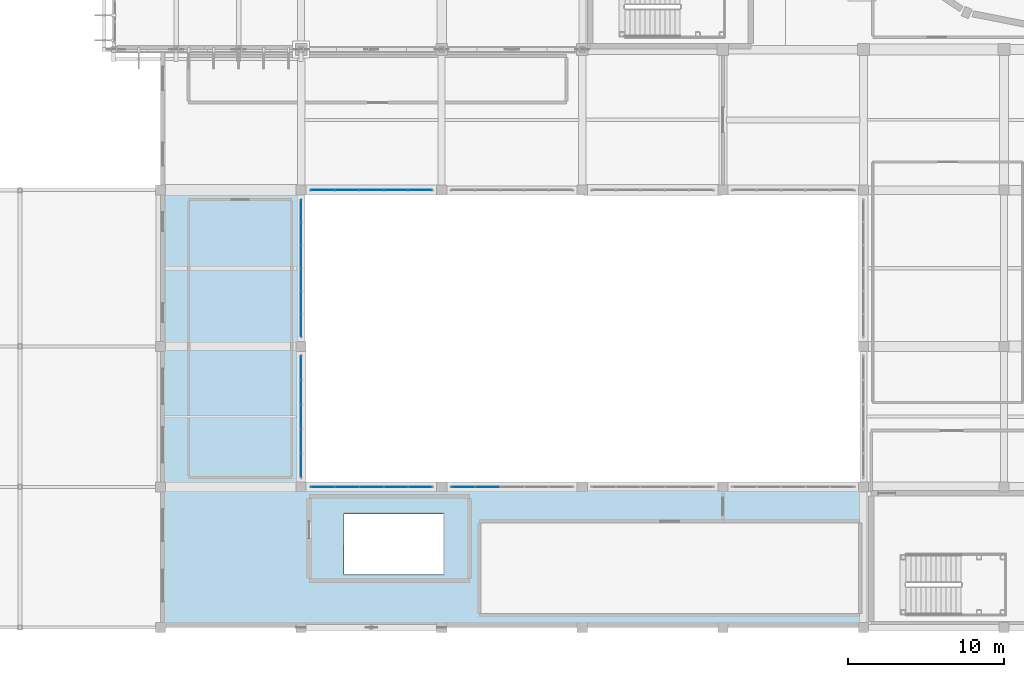
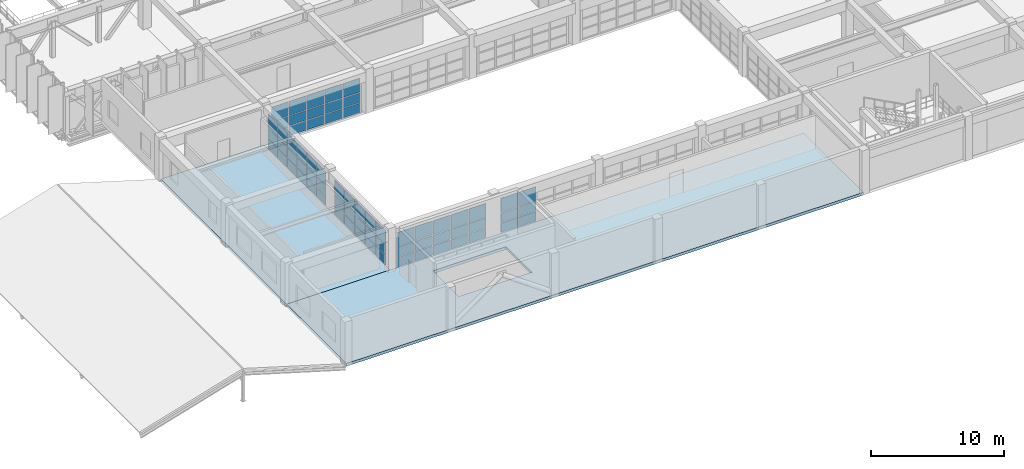
# One storey, part 89 of 130: 69 plates, 2 slabs, 5 elements without a shape of their own.
"""IFC4 building model written with IfcOpenShell, lengths in metres."""

from ifc_helpers import new_model, si_unit, direction, frame, origin, origin_2d, place, context, subcontext, project, spatial, polyline, rectangle, outline, extrude, material, layer, layer_set, type_object, element, aggregate, save


model = new_model("IFC4")

# Units and contexts
model_context = context("Model", 3, precision=1e-05, world=origin(), true_north=direction((0.0, 1.0)))
body_context = subcontext(model_context, "Body", "Model", "MODEL_VIEW")
ifc_project = project(units=[si_unit("LENGTHUNIT", "METRE"), si_unit("AREAUNIT", "SQUARE_METRE"), si_unit("VOLUMEUNIT", "CUBIC_METRE"), si_unit("PLANEANGLEUNIT", "RADIAN"), si_unit("MASSUNIT", "GRAM", prefix="KILO")], contexts=[model_context])

# Site, building, storey
site_placement = place(None, origin())
site = spatial("IfcSite", under=ifc_project, at=site_placement, CompositionType="ELEMENT")
building_placement = place(site_placement, origin())
building = spatial("IfcBuilding", under=site, at=building_placement, Name="Miravela Opera House", CompositionType="ELEMENT")
storey_placement = place(building_placement, frame((0.0, 0.0, 9.52001953125)))
storey = spatial("IfcBuildingStorey", under=building, at=storey_placement, Name="L02", CompositionType="ELEMENT", Elevation=9.52001953125)

# Curtain wall, plates
ifc_material_1 = material(Name="Anodised architectural bronze aluminium 6063-T6", Category="aluminium")
curtain_wall_type = type_object("IfcCurtainWallType", Name="ARC-CW-06", PredefinedType="NOTDEFINED", material=ifc_material_1)
curtain_wall_1_placement = place(storey_placement, origin())
curtain_wall_1 = element("IfcCurtainWall", 1, at=curtain_wall_1_placement, inside=storey, type_object=curtain_wall_type, Name="Courtyard Arcade Curtain Wall CW-L02-136", PredefinedType="NOTDEFINED")
ifc_material_2 = material(Name="Acoustic laminated low-E insulating glass", Category="glass")
ifc_layer_1 = layer(ifc_material_2, 0.028076171875)
ifc_layer_set_1 = layer_set([ifc_layer_1])
plate_type = type_object("IfcPlateType", Name="ARC-CWP-28", PredefinedType="CURTAIN_PANEL", material=ifc_layer_set_1)
plate_1_placement = place(storey_placement, frame((28.37890625, 28.0, 0.06005859375), z_axis=(0.0, 0.0, 1.0), x_axis=(1.0, 0.0, 0.0)))
plate_1 = element("IfcPlate", 2, at=plate_1_placement, type_object=plate_type, Name="CW-06 panel 1.1", PredefinedType="CURTAIN_PANEL", context=body_context, shape_type="SweptSolid", body=[
    extrude(rectangle(XDim=1.47802734375, YDim=0.028076171875, at=origin_2d()), origin(), (0.0, 0.0, 1.0), 0.860107421875),
])
plate_2_placement = place(storey_placement, frame((28.37890625, 28.0, 0.97998046875), z_axis=(0.0, 0.0, 1.0), x_axis=(1.0, 0.0, 0.0)))
plate_2 = element("IfcPlate", 3, at=plate_2_placement, type_object=plate_type, Name="CW-06 panel 1.2", PredefinedType="CURTAIN_PANEL", context=body_context, shape_type="SweptSolid", body=[
    extrude(rectangle(XDim=1.47802734375, YDim=0.028076171875, at=origin_2d()), origin(), (0.0, 0.0, 1.0), 0.898193359375),
])
plate_3_placement = place(storey_placement, frame((28.37890625, 28.0, 1.93798828125), z_axis=(0.0, 0.0, 1.0), x_axis=(1.0, 0.0, 0.0)))
plate_3 = element("IfcPlate", 4, at=plate_3_placement, type_object=plate_type, Name="CW-06 panel 1.3", PredefinedType="CURTAIN_PANEL", context=body_context, shape_type="SweptSolid", body=[
    extrude(rectangle(XDim=1.47802734375, YDim=0.028076171875, at=origin_2d()), origin(), (0.0, 0.0, 1.0), 1.291748046875),
])
plate_4_placement = place(storey_placement, frame((29.931884765625, 28.0, 0.06005859375), z_axis=(0.0, 0.0, 1.0), x_axis=(1.0, 0.0, 0.0)))
plate_4 = element("IfcPlate", 5, at=plate_4_placement, type_object=plate_type, Name="CW-06 panel 2.1", PredefinedType="CURTAIN_PANEL", context=body_context, shape_type="SweptSolid", body=[
    extrude(rectangle(XDim=1.508056640625, YDim=0.028076171875, at=origin_2d()), origin(), (0.0, 0.0, 1.0), 0.860107421875),
])
plate_5_placement = place(storey_placement, frame((29.931884765625, 28.0, 0.97998046875), z_axis=(0.0, 0.0, 1.0), x_axis=(1.0, 0.0, 0.0)))
plate_5 = element("IfcPlate", 6, at=plate_5_placement, type_object=plate_type, Name="CW-06 panel 2.2", PredefinedType="CURTAIN_PANEL", context=body_context, shape_type="SweptSolid", body=[
    extrude(rectangle(XDim=1.508056640625, YDim=0.028076171875, at=origin_2d()), origin(), (0.0, 0.0, 1.0), 0.898193359375),
])
plate_6_placement = place(storey_placement, frame((29.931884765625, 28.0, 1.93798828125), z_axis=(0.0, 0.0, 1.0), x_axis=(1.0, 0.0, 0.0)))
plate_6 = element("IfcPlate", 7, at=plate_6_placement, type_object=plate_type, Name="CW-06 panel 2.3", PredefinedType="CURTAIN_PANEL", context=body_context, shape_type="SweptSolid", body=[
    extrude(rectangle(XDim=1.508056640625, YDim=0.028076171875, at=origin_2d()), origin(), (0.0, 0.0, 1.0), 1.291748046875),
])
plate_7_placement = place(storey_placement, frame((31.5, 28.0, 0.06005859375), z_axis=(0.0, 0.0, 1.0), x_axis=(1.0, 0.0, 0.0)))
plate_7 = element("IfcPlate", 8, at=plate_7_placement, type_object=plate_type, Name="CW-06 panel 3.1", PredefinedType="CURTAIN_PANEL", context=body_context, shape_type="SweptSolid", body=[
    extrude(rectangle(XDim=1.508056640625, YDim=0.028076171875, at=origin_2d()), origin(), (0.0, 0.0, 1.0), 0.860107421875),
])
plate_8_placement = place(storey_placement, frame((31.5, 28.0, 0.97998046875), z_axis=(0.0, 0.0, 1.0), x_axis=(1.0, 0.0, 0.0)))
plate_8 = element("IfcPlate", 9, at=plate_8_placement, type_object=plate_type, Name="CW-06 panel 3.2", PredefinedType="CURTAIN_PANEL", context=body_context, shape_type="SweptSolid", body=[
    extrude(rectangle(XDim=1.508056640625, YDim=0.028076171875, at=origin_2d()), origin(), (0.0, 0.0, 1.0), 0.898193359375),
])
plate_9_placement = place(storey_placement, frame((31.5, 28.0, 1.93798828125), z_axis=(0.0, 0.0, 1.0), x_axis=(1.0, 0.0, 0.0)))
plate_9 = element("IfcPlate", 10, at=plate_9_placement, type_object=plate_type, Name="CW-06 panel 3.3", PredefinedType="CURTAIN_PANEL", context=body_context, shape_type="SweptSolid", body=[
    extrude(rectangle(XDim=1.508056640625, YDim=0.028076171875, at=origin_2d()), origin(), (0.0, 0.0, 1.0), 1.291748046875),
])
plate_10_placement = place(storey_placement, frame((33.068115234375, 28.0, 0.06005859375), z_axis=(0.0, 0.0, 1.0), x_axis=(1.0, 0.0, 0.0)))
plate_10 = element("IfcPlate", 11, at=plate_10_placement, type_object=plate_type, Name="CW-06 panel 4.1", PredefinedType="CURTAIN_PANEL", context=body_context, shape_type="SweptSolid", body=[
    extrude(rectangle(XDim=1.508056640625, YDim=0.028076171875, at=origin_2d()), origin(), (0.0, 0.0, 1.0), 0.860107421875),
])
plate_11_placement = place(storey_placement, frame((33.068115234375, 28.0, 0.97998046875), z_axis=(0.0, 0.0, 1.0), x_axis=(1.0, 0.0, 0.0)))
plate_11 = element("IfcPlate", 12, at=plate_11_placement, type_object=plate_type, Name="CW-06 panel 4.2", PredefinedType="CURTAIN_PANEL", context=body_context, shape_type="SweptSolid", body=[
    extrude(rectangle(XDim=1.508056640625, YDim=0.028076171875, at=origin_2d()), origin(), (0.0, 0.0, 1.0), 0.898193359375),
])
plate_12_placement = place(storey_placement, frame((33.068115234375, 28.0, 1.93798828125), z_axis=(0.0, 0.0, 1.0), x_axis=(1.0, 0.0, 0.0)))
plate_12 = element("IfcPlate", 13, at=plate_12_placement, type_object=plate_type, Name="CW-06 panel 4.3", PredefinedType="CURTAIN_PANEL", context=body_context, shape_type="SweptSolid", body=[
    extrude(rectangle(XDim=1.508056640625, YDim=0.028076171875, at=origin_2d()), origin(), (0.0, 0.0, 1.0), 1.291748046875),
])
plate_13_placement = place(storey_placement, frame((34.62109375, 28.0, 0.06005859375), z_axis=(0.0, 0.0, 1.0), x_axis=(1.0, 0.0, 0.0)))
plate_13 = element("IfcPlate", 14, at=plate_13_placement, type_object=plate_type, Name="CW-06 panel 5.1", PredefinedType="CURTAIN_PANEL", context=body_context, shape_type="SweptSolid", body=[
    extrude(rectangle(XDim=1.47802734375, YDim=0.028076171875, at=origin_2d()), origin(), (0.0, 0.0, 1.0), 0.860107421875),
])
plate_14_placement = place(storey_placement, frame((34.62109375, 28.0, 0.97998046875), z_axis=(0.0, 0.0, 1.0), x_axis=(1.0, 0.0, 0.0)))
plate_14 = element("IfcPlate", 15, at=plate_14_placement, type_object=plate_type, Name="CW-06 panel 5.2", PredefinedType="CURTAIN_PANEL", context=body_context, shape_type="SweptSolid", body=[
    extrude(rectangle(XDim=1.47802734375, YDim=0.028076171875, at=origin_2d()), origin(), (0.0, 0.0, 1.0), 0.898193359375),
])
plate_15_placement = place(storey_placement, frame((34.62109375, 28.0, 1.93798828125), z_axis=(0.0, 0.0, 1.0), x_axis=(1.0, 0.0, 0.0)))
plate_15 = element("IfcPlate", 16, at=plate_15_placement, type_object=plate_type, Name="CW-06 panel 5.3", PredefinedType="CURTAIN_PANEL", context=body_context, shape_type="SweptSolid", body=[
    extrude(rectangle(XDim=1.47802734375, YDim=0.028076171875, at=origin_2d()), origin(), (0.0, 0.0, 1.0), 1.291748046875),
])
aggregate(curtain_wall_1, [plate_1, plate_2, plate_3, plate_4, plate_5, plate_6, plate_7, plate_8, plate_9, plate_10, plate_11, plate_12, plate_13, plate_14, plate_15])

curtain_wall_2_placement = place(storey_placement, origin())
curtain_wall_2 = element("IfcCurtainWall", 17, at=curtain_wall_2_placement, inside=storey, type_object=curtain_wall_type, Name="Courtyard Arcade Curtain Wall CW-L02-137", PredefinedType="NOTDEFINED")
plate_16_placement = place(storey_placement, frame((28.37890625, 9.0, 0.06005859375), z_axis=(0.0, 0.0, 1.0), x_axis=(1.0, 0.0, 0.0)))
plate_16 = element("IfcPlate", 18, at=plate_16_placement, type_object=plate_type, Name="CW-06 panel 1.1", PredefinedType="CURTAIN_PANEL", context=body_context, shape_type="SweptSolid", body=[
    extrude(rectangle(XDim=1.47802734375, YDim=0.028076171875, at=origin_2d()), origin(), (0.0, 0.0, 1.0), 0.860107421875),
])
plate_17_placement = place(storey_placement, frame((28.37890625, 9.0, 0.97998046875), z_axis=(0.0, 0.0, 1.0), x_axis=(1.0, 0.0, 0.0)))
plate_17 = element("IfcPlate", 19, at=plate_17_placement, type_object=plate_type, Name="CW-06 panel 1.2", PredefinedType="CURTAIN_PANEL", context=body_context, shape_type="SweptSolid", body=[
    extrude(rectangle(XDim=1.47802734375, YDim=0.028076171875, at=origin_2d()), origin(), (0.0, 0.0, 1.0), 0.898193359375),
])
plate_18_placement = place(storey_placement, frame((28.37890625, 9.0, 1.93798828125), z_axis=(0.0, 0.0, 1.0), x_axis=(1.0, 0.0, 0.0)))
plate_18 = element("IfcPlate", 20, at=plate_18_placement, type_object=plate_type, Name="CW-06 panel 1.3", PredefinedType="CURTAIN_PANEL", context=body_context, shape_type="SweptSolid", body=[
    extrude(rectangle(XDim=1.47802734375, YDim=0.028076171875, at=origin_2d()), origin(), (0.0, 0.0, 1.0), 1.291748046875),
])
plate_19_placement = place(storey_placement, frame((29.931884765625, 9.0, 0.06005859375), z_axis=(0.0, 0.0, 1.0), x_axis=(1.0, 0.0, 0.0)))
plate_19 = element("IfcPlate", 21, at=plate_19_placement, type_object=plate_type, Name="CW-06 panel 2.1", PredefinedType="CURTAIN_PANEL", context=body_context, shape_type="SweptSolid", body=[
    extrude(rectangle(XDim=1.508056640625, YDim=0.028076171875, at=origin_2d()), origin(), (0.0, 0.0, 1.0), 0.860107421875),
])
plate_20_placement = place(storey_placement, frame((29.931884765625, 9.0, 0.97998046875), z_axis=(0.0, 0.0, 1.0), x_axis=(1.0, 0.0, 0.0)))
plate_20 = element("IfcPlate", 22, at=plate_20_placement, type_object=plate_type, Name="CW-06 panel 2.2", PredefinedType="CURTAIN_PANEL", context=body_context, shape_type="SweptSolid", body=[
    extrude(rectangle(XDim=1.508056640625, YDim=0.028076171875, at=origin_2d()), origin(), (0.0, 0.0, 1.0), 0.898193359375),
])
plate_21_placement = place(storey_placement, frame((29.931884765625, 9.0, 1.93798828125), z_axis=(0.0, 0.0, 1.0), x_axis=(1.0, 0.0, 0.0)))
plate_21 = element("IfcPlate", 23, at=plate_21_placement, type_object=plate_type, Name="CW-06 panel 2.3", PredefinedType="CURTAIN_PANEL", context=body_context, shape_type="SweptSolid", body=[
    extrude(rectangle(XDim=1.508056640625, YDim=0.028076171875, at=origin_2d()), origin(), (0.0, 0.0, 1.0), 1.291748046875),
])
plate_22_placement = place(storey_placement, frame((31.5, 9.0, 0.06005859375), z_axis=(0.0, 0.0, 1.0), x_axis=(1.0, 0.0, 0.0)))
plate_22 = element("IfcPlate", 24, at=plate_22_placement, type_object=plate_type, Name="CW-06 panel 3.1", PredefinedType="CURTAIN_PANEL", context=body_context, shape_type="SweptSolid", body=[
    extrude(rectangle(XDim=1.508056640625, YDim=0.028076171875, at=origin_2d()), origin(), (0.0, 0.0, 1.0), 0.860107421875),
])
plate_23_placement = place(storey_placement, frame((31.5, 9.0, 0.97998046875), z_axis=(0.0, 0.0, 1.0), x_axis=(1.0, 0.0, 0.0)))
plate_23 = element("IfcPlate", 25, at=plate_23_placement, type_object=plate_type, Name="CW-06 panel 3.2", PredefinedType="CURTAIN_PANEL", context=body_context, shape_type="SweptSolid", body=[
    extrude(rectangle(XDim=1.508056640625, YDim=0.028076171875, at=origin_2d()), origin(), (0.0, 0.0, 1.0), 0.898193359375),
])
plate_24_placement = place(storey_placement, frame((31.5, 9.0, 1.93798828125), z_axis=(0.0, 0.0, 1.0), x_axis=(1.0, 0.0, 0.0)))
plate_24 = element("IfcPlate", 26, at=plate_24_placement, type_object=plate_type, Name="CW-06 panel 3.3", PredefinedType="CURTAIN_PANEL", context=body_context, shape_type="SweptSolid", body=[
    extrude(rectangle(XDim=1.508056640625, YDim=0.028076171875, at=origin_2d()), origin(), (0.0, 0.0, 1.0), 1.291748046875),
])
plate_25_placement = place(storey_placement, frame((33.068115234375, 9.0, 0.06005859375), z_axis=(0.0, 0.0, 1.0), x_axis=(1.0, 0.0, 0.0)))
plate_25 = element("IfcPlate", 27, at=plate_25_placement, type_object=plate_type, Name="CW-06 panel 4.1", PredefinedType="CURTAIN_PANEL", context=body_context, shape_type="SweptSolid", body=[
    extrude(rectangle(XDim=1.508056640625, YDim=0.028076171875, at=origin_2d()), origin(), (0.0, 0.0, 1.0), 0.860107421875),
])
plate_26_placement = place(storey_placement, frame((33.068115234375, 9.0, 0.97998046875), z_axis=(0.0, 0.0, 1.0), x_axis=(1.0, 0.0, 0.0)))
plate_26 = element("IfcPlate", 28, at=plate_26_placement, type_object=plate_type, Name="CW-06 panel 4.2", PredefinedType="CURTAIN_PANEL", context=body_context, shape_type="SweptSolid", body=[
    extrude(rectangle(XDim=1.508056640625, YDim=0.028076171875, at=origin_2d()), origin(), (0.0, 0.0, 1.0), 0.898193359375),
])
plate_27_placement = place(storey_placement, frame((33.068115234375, 9.0, 1.93798828125), z_axis=(0.0, 0.0, 1.0), x_axis=(1.0, 0.0, 0.0)))
plate_27 = element("IfcPlate", 29, at=plate_27_placement, type_object=plate_type, Name="CW-06 panel 4.3", PredefinedType="CURTAIN_PANEL", context=body_context, shape_type="SweptSolid", body=[
    extrude(rectangle(XDim=1.508056640625, YDim=0.028076171875, at=origin_2d()), origin(), (0.0, 0.0, 1.0), 1.291748046875),
])
plate_28_placement = place(storey_placement, frame((34.62109375, 9.0, 0.06005859375), z_axis=(0.0, 0.0, 1.0), x_axis=(1.0, 0.0, 0.0)))
plate_28 = element("IfcPlate", 30, at=plate_28_placement, type_object=plate_type, Name="CW-06 panel 5.1", PredefinedType="CURTAIN_PANEL", context=body_context, shape_type="SweptSolid", body=[
    extrude(rectangle(XDim=1.47802734375, YDim=0.028076171875, at=origin_2d()), origin(), (0.0, 0.0, 1.0), 0.860107421875),
])
plate_29_placement = place(storey_placement, frame((34.62109375, 9.0, 0.97998046875), z_axis=(0.0, 0.0, 1.0), x_axis=(1.0, 0.0, 0.0)))
plate_29 = element("IfcPlate", 31, at=plate_29_placement, type_object=plate_type, Name="CW-06 panel 5.2", PredefinedType="CURTAIN_PANEL", context=body_context, shape_type="SweptSolid", body=[
    extrude(rectangle(XDim=1.47802734375, YDim=0.028076171875, at=origin_2d()), origin(), (0.0, 0.0, 1.0), 0.898193359375),
])
plate_30_placement = place(storey_placement, frame((34.62109375, 9.0, 1.93798828125), z_axis=(0.0, 0.0, 1.0), x_axis=(1.0, 0.0, 0.0)))
plate_30 = element("IfcPlate", 32, at=plate_30_placement, type_object=plate_type, Name="CW-06 panel 5.3", PredefinedType="CURTAIN_PANEL", context=body_context, shape_type="SweptSolid", body=[
    extrude(rectangle(XDim=1.47802734375, YDim=0.028076171875, at=origin_2d()), origin(), (0.0, 0.0, 1.0), 1.291748046875),
])
aggregate(curtain_wall_2, [plate_16, plate_17, plate_18, plate_19, plate_20, plate_21, plate_22, plate_23, plate_24, plate_25, plate_26, plate_27, plate_28, plate_29, plate_30])

curtain_wall_3_placement = place(storey_placement, origin())
curtain_wall_3 = element("IfcCurtainWall", 33, at=curtain_wall_3_placement, inside=storey, type_object=curtain_wall_type, Name="Courtyard Arcade Curtain Wall CW-L02-139", PredefinedType="NOTDEFINED")
plate_31_placement = place(storey_placement, frame((37.37890625, 9.0, 0.06005859375), z_axis=(0.0, 0.0, 1.0), x_axis=(1.0, 0.0, 0.0)))
plate_31 = element("IfcPlate", 34, at=plate_31_placement, type_object=plate_type, Name="CW-06 panel 1.1", PredefinedType="CURTAIN_PANEL", context=body_context, shape_type="SweptSolid", body=[
    extrude(rectangle(XDim=1.47802734375, YDim=0.028076171875, at=origin_2d()), origin(), (0.0, 0.0, 1.0), 0.860107421875),
])
plate_32_placement = place(storey_placement, frame((37.37890625, 9.0, 0.97998046875), z_axis=(0.0, 0.0, 1.0), x_axis=(1.0, 0.0, 0.0)))
plate_32 = element("IfcPlate", 35, at=plate_32_placement, type_object=plate_type, Name="CW-06 panel 1.2", PredefinedType="CURTAIN_PANEL", context=body_context, shape_type="SweptSolid", body=[
    extrude(rectangle(XDim=1.47802734375, YDim=0.028076171875, at=origin_2d()), origin(), (0.0, 0.0, 1.0), 0.898193359375),
])
plate_33_placement = place(storey_placement, frame((37.37890625, 9.0, 1.93798828125), z_axis=(0.0, 0.0, 1.0), x_axis=(1.0, 0.0, 0.0)))
plate_33 = element("IfcPlate", 36, at=plate_33_placement, type_object=plate_type, Name="CW-06 panel 1.3", PredefinedType="CURTAIN_PANEL", context=body_context, shape_type="SweptSolid", body=[
    extrude(rectangle(XDim=1.47802734375, YDim=0.028076171875, at=origin_2d()), origin(), (0.0, 0.0, 1.0), 1.291748046875),
])
plate_34_placement = place(storey_placement, frame((38.931884765625, 9.0, 0.06005859375), z_axis=(0.0, 0.0, 1.0), x_axis=(1.0, 0.0, 0.0)))
plate_34 = element("IfcPlate", 37, at=plate_34_placement, type_object=plate_type, Name="CW-06 panel 2.1", PredefinedType="CURTAIN_PANEL", context=body_context, shape_type="SweptSolid", body=[
    extrude(rectangle(XDim=1.508056640625, YDim=0.028076171875, at=origin_2d()), origin(), (0.0, 0.0, 1.0), 0.860107421875),
])
plate_35_placement = place(storey_placement, frame((38.931884765625, 9.0, 0.97998046875), z_axis=(0.0, 0.0, 1.0), x_axis=(1.0, 0.0, 0.0)))
plate_35 = element("IfcPlate", 38, at=plate_35_placement, type_object=plate_type, Name="CW-06 panel 2.2", PredefinedType="CURTAIN_PANEL", context=body_context, shape_type="SweptSolid", body=[
    extrude(rectangle(XDim=1.508056640625, YDim=0.028076171875, at=origin_2d()), origin(), (0.0, 0.0, 1.0), 0.898193359375),
])
plate_36_placement = place(storey_placement, frame((38.931884765625, 9.0, 1.93798828125), z_axis=(0.0, 0.0, 1.0), x_axis=(1.0, 0.0, 0.0)))
plate_36 = element("IfcPlate", 39, at=plate_36_placement, type_object=plate_type, Name="CW-06 panel 2.3", PredefinedType="CURTAIN_PANEL", context=body_context, shape_type="SweptSolid", body=[
    extrude(rectangle(XDim=1.508056640625, YDim=0.028076171875, at=origin_2d()), origin(), (0.0, 0.0, 1.0), 1.291748046875),
])
aggregate(curtain_wall_3, [plate_31, plate_32, plate_33, plate_34, plate_35, plate_36])

curtain_wall_4_placement = place(storey_placement, origin())
curtain_wall_4 = element("IfcCurtainWall", 40, at=curtain_wall_4_placement, inside=storey, type_object=curtain_wall_type, Name="Courtyard Arcade Curtain Wall CW-L02-144", PredefinedType="NOTDEFINED")
plate_37_placement = place(storey_placement, frame((27.0, 10.37890625, 0.06005859375), z_axis=(0.0, 0.0, 1.0), x_axis=(0.0, 1.0, 0.0)))
plate_37 = element("IfcPlate", 41, at=plate_37_placement, type_object=plate_type, Name="CW-06 panel 1.1", PredefinedType="CURTAIN_PANEL", context=body_context, shape_type="SweptSolid", body=[
    extrude(rectangle(XDim=1.47802734375, YDim=0.028076171875, at=origin_2d()), origin(), (0.0, 0.0, 1.0), 0.860107421875),
])
plate_38_placement = place(storey_placement, frame((27.0, 10.37890625, 0.97998046875), z_axis=(0.0, 0.0, 1.0), x_axis=(0.0, 1.0, 0.0)))
plate_38 = element("IfcPlate", 42, at=plate_38_placement, type_object=plate_type, Name="CW-06 panel 1.2", PredefinedType="CURTAIN_PANEL", context=body_context, shape_type="SweptSolid", body=[
    extrude(rectangle(XDim=1.47802734375, YDim=0.028076171875, at=origin_2d()), origin(), (0.0, 0.0, 1.0), 0.898193359375),
])
plate_39_placement = place(storey_placement, frame((27.0, 10.37890625, 1.93798828125), z_axis=(0.0, 0.0, 1.0), x_axis=(0.0, 1.0, 0.0)))
plate_39 = element("IfcPlate", 43, at=plate_39_placement, type_object=plate_type, Name="CW-06 panel 1.3", PredefinedType="CURTAIN_PANEL", context=body_context, shape_type="SweptSolid", body=[
    extrude(rectangle(XDim=1.47802734375, YDim=0.028076171875, at=origin_2d()), origin(), (0.0, 0.0, 1.0), 1.291748046875),
])
plate_40_placement = place(storey_placement, frame((27.0, 11.931884765625, 0.06005859375), z_axis=(0.0, 0.0, 1.0), x_axis=(0.0, 1.0, 0.0)))
plate_40 = element("IfcPlate", 44, at=plate_40_placement, type_object=plate_type, Name="CW-06 panel 2.1", PredefinedType="CURTAIN_PANEL", context=body_context, shape_type="SweptSolid", body=[
    extrude(rectangle(XDim=1.508056640625, YDim=0.028076171875, at=origin_2d()), origin(), (0.0, 0.0, 1.0), 0.860107421875),
])
plate_41_placement = place(storey_placement, frame((27.0, 11.931884765625, 0.97998046875), z_axis=(0.0, 0.0, 1.0), x_axis=(0.0, 1.0, 0.0)))
plate_41 = element("IfcPlate", 45, at=plate_41_placement, type_object=plate_type, Name="CW-06 panel 2.2", PredefinedType="CURTAIN_PANEL", context=body_context, shape_type="SweptSolid", body=[
    extrude(rectangle(XDim=1.508056640625, YDim=0.028076171875, at=origin_2d()), origin(), (0.0, 0.0, 1.0), 0.898193359375),
])
plate_42_placement = place(storey_placement, frame((27.0, 11.931884765625, 1.93798828125), z_axis=(0.0, 0.0, 1.0), x_axis=(0.0, 1.0, 0.0)))
plate_42 = element("IfcPlate", 46, at=plate_42_placement, type_object=plate_type, Name="CW-06 panel 2.3", PredefinedType="CURTAIN_PANEL", context=body_context, shape_type="SweptSolid", body=[
    extrude(rectangle(XDim=1.508056640625, YDim=0.028076171875, at=origin_2d()), origin(), (0.0, 0.0, 1.0), 1.291748046875),
])
plate_43_placement = place(storey_placement, frame((27.0, 13.5, 0.06005859375), z_axis=(0.0, 0.0, 1.0), x_axis=(0.0, 1.0, 0.0)))
plate_43 = element("IfcPlate", 47, at=plate_43_placement, type_object=plate_type, Name="CW-06 panel 3.1", PredefinedType="CURTAIN_PANEL", context=body_context, shape_type="SweptSolid", body=[
    extrude(rectangle(XDim=1.508056640625, YDim=0.028076171875, at=origin_2d()), origin(), (0.0, 0.0, 1.0), 0.860107421875),
])
plate_44_placement = place(storey_placement, frame((27.0, 13.5, 0.97998046875), z_axis=(0.0, 0.0, 1.0), x_axis=(0.0, 1.0, 0.0)))
plate_44 = element("IfcPlate", 48, at=plate_44_placement, type_object=plate_type, Name="CW-06 panel 3.2", PredefinedType="CURTAIN_PANEL", context=body_context, shape_type="SweptSolid", body=[
    extrude(rectangle(XDim=1.508056640625, YDim=0.028076171875, at=origin_2d()), origin(), (0.0, 0.0, 1.0), 0.898193359375),
])
plate_45_placement = place(storey_placement, frame((27.0, 13.5, 1.93798828125), z_axis=(0.0, 0.0, 1.0), x_axis=(0.0, 1.0, 0.0)))
plate_45 = element("IfcPlate", 49, at=plate_45_placement, type_object=plate_type, Name="CW-06 panel 3.3", PredefinedType="CURTAIN_PANEL", context=body_context, shape_type="SweptSolid", body=[
    extrude(rectangle(XDim=1.508056640625, YDim=0.028076171875, at=origin_2d()), origin(), (0.0, 0.0, 1.0), 1.291748046875),
])
plate_46_placement = place(storey_placement, frame((27.0, 15.068115234375, 0.06005859375), z_axis=(0.0, 0.0, 1.0), x_axis=(0.0, 1.0, 0.0)))
plate_46 = element("IfcPlate", 50, at=plate_46_placement, type_object=plate_type, Name="CW-06 panel 4.1", PredefinedType="CURTAIN_PANEL", context=body_context, shape_type="SweptSolid", body=[
    extrude(rectangle(XDim=1.508056640625, YDim=0.028076171875, at=origin_2d()), origin(), (0.0, 0.0, 1.0), 0.860107421875),
])
plate_47_placement = place(storey_placement, frame((27.0, 15.068115234375, 0.97998046875), z_axis=(0.0, 0.0, 1.0), x_axis=(0.0, 1.0, 0.0)))
plate_47 = element("IfcPlate", 51, at=plate_47_placement, type_object=plate_type, Name="CW-06 panel 4.2", PredefinedType="CURTAIN_PANEL", context=body_context, shape_type="SweptSolid", body=[
    extrude(rectangle(XDim=1.508056640625, YDim=0.028076171875, at=origin_2d()), origin(), (0.0, 0.0, 1.0), 0.898193359375),
])
plate_48_placement = place(storey_placement, frame((27.0, 15.068115234375, 1.93798828125), z_axis=(0.0, 0.0, 1.0), x_axis=(0.0, 1.0, 0.0)))
plate_48 = element("IfcPlate", 52, at=plate_48_placement, type_object=plate_type, Name="CW-06 panel 4.3", PredefinedType="CURTAIN_PANEL", context=body_context, shape_type="SweptSolid", body=[
    extrude(rectangle(XDim=1.508056640625, YDim=0.028076171875, at=origin_2d()), origin(), (0.0, 0.0, 1.0), 1.291748046875),
])
plate_49_placement = place(storey_placement, frame((27.0, 16.62109375, 0.06005859375), z_axis=(0.0, 0.0, 1.0), x_axis=(0.0, 1.0, 0.0)))
plate_49 = element("IfcPlate", 53, at=plate_49_placement, type_object=plate_type, Name="CW-06 panel 5.1", PredefinedType="CURTAIN_PANEL", context=body_context, shape_type="SweptSolid", body=[
    extrude(rectangle(XDim=1.47802734375, YDim=0.028076171875, at=origin_2d()), origin(), (0.0, 0.0, 1.0), 0.860107421875),
])
plate_50_placement = place(storey_placement, frame((27.0, 16.62109375, 0.97998046875), z_axis=(0.0, 0.0, 1.0), x_axis=(0.0, 1.0, 0.0)))
plate_50 = element("IfcPlate", 54, at=plate_50_placement, type_object=plate_type, Name="CW-06 panel 5.2", PredefinedType="CURTAIN_PANEL", context=body_context, shape_type="SweptSolid", body=[
    extrude(rectangle(XDim=1.47802734375, YDim=0.028076171875, at=origin_2d()), origin(), (0.0, 0.0, 1.0), 0.898193359375),
])
plate_51_placement = place(storey_placement, frame((27.0, 16.62109375, 1.93798828125), z_axis=(0.0, 0.0, 1.0), x_axis=(0.0, 1.0, 0.0)))
plate_51 = element("IfcPlate", 55, at=plate_51_placement, type_object=plate_type, Name="CW-06 panel 5.3", PredefinedType="CURTAIN_PANEL", context=body_context, shape_type="SweptSolid", body=[
    extrude(rectangle(XDim=1.47802734375, YDim=0.028076171875, at=origin_2d()), origin(), (0.0, 0.0, 1.0), 1.291748046875),
])
aggregate(curtain_wall_4, [plate_37, plate_38, plate_39, plate_40, plate_41, plate_42, plate_43, plate_44, plate_45, plate_46, plate_47, plate_48, plate_49, plate_50, plate_51])

curtain_wall_5_placement = place(storey_placement, origin())
curtain_wall_5 = element("IfcCurtainWall", 56, at=curtain_wall_5_placement, inside=storey, type_object=curtain_wall_type, Name="Courtyard Arcade Curtain Wall CW-L02-145", PredefinedType="NOTDEFINED")
plate_52_placement = place(storey_placement, frame((27.0, 19.331787109375, 0.06005859375), z_axis=(0.0, 0.0, 1.0), x_axis=(0.0, 1.0, 0.0)))
plate_52 = element("IfcPlate", 57, at=plate_52_placement, type_object=plate_type, Name="CW-06 panel 1.1", PredefinedType="CURTAIN_PANEL", context=body_context, shape_type="SweptSolid", body=[
    extrude(rectangle(XDim=1.38330078125, YDim=0.028076171875, at=origin_2d()), origin(), (0.0, 0.0, 1.0), 0.860107421875),
])
plate_53_placement = place(storey_placement, frame((27.0, 19.331787109375, 0.97998046875), z_axis=(0.0, 0.0, 1.0), x_axis=(0.0, 1.0, 0.0)))
plate_53 = element("IfcPlate", 58, at=plate_53_placement, type_object=plate_type, Name="CW-06 panel 1.2", PredefinedType="CURTAIN_PANEL", context=body_context, shape_type="SweptSolid", body=[
    extrude(rectangle(XDim=1.38330078125, YDim=0.028076171875, at=origin_2d()), origin(), (0.0, 0.0, 1.0), 0.898193359375),
])
plate_54_placement = place(storey_placement, frame((27.0, 19.331787109375, 1.93798828125), z_axis=(0.0, 0.0, 1.0), x_axis=(0.0, 1.0, 0.0)))
plate_54 = element("IfcPlate", 59, at=plate_54_placement, type_object=plate_type, Name="CW-06 panel 1.3", PredefinedType="CURTAIN_PANEL", context=body_context, shape_type="SweptSolid", body=[
    extrude(rectangle(XDim=1.38330078125, YDim=0.028076171875, at=origin_2d()), origin(), (0.0, 0.0, 1.0), 1.291748046875),
])
plate_55_placement = place(storey_placement, frame((27.0, 20.7900390625, 0.06005859375), z_axis=(0.0, 0.0, 1.0), x_axis=(0.0, 1.0, 0.0)))
plate_55 = element("IfcPlate", 60, at=plate_55_placement, type_object=plate_type, Name="CW-06 panel 2.1", PredefinedType="CURTAIN_PANEL", context=body_context, shape_type="SweptSolid", body=[
    extrude(rectangle(XDim=1.413330078125, YDim=0.028076171875, at=origin_2d()), origin(), (0.0, 0.0, 1.0), 0.860107421875),
])
plate_56_placement = place(storey_placement, frame((27.0, 20.7900390625, 0.97998046875), z_axis=(0.0, 0.0, 1.0), x_axis=(0.0, 1.0, 0.0)))
plate_56 = element("IfcPlate", 61, at=plate_56_placement, type_object=plate_type, Name="CW-06 panel 2.2", PredefinedType="CURTAIN_PANEL", context=body_context, shape_type="SweptSolid", body=[
    extrude(rectangle(XDim=1.413330078125, YDim=0.028076171875, at=origin_2d()), origin(), (0.0, 0.0, 1.0), 0.898193359375),
])
plate_57_placement = place(storey_placement, frame((27.0, 20.7900390625, 1.93798828125), z_axis=(0.0, 0.0, 1.0), x_axis=(0.0, 1.0, 0.0)))
plate_57 = element("IfcPlate", 62, at=plate_57_placement, type_object=plate_type, Name="CW-06 panel 2.3", PredefinedType="CURTAIN_PANEL", context=body_context, shape_type="SweptSolid", body=[
    extrude(rectangle(XDim=1.413330078125, YDim=0.028076171875, at=origin_2d()), origin(), (0.0, 0.0, 1.0), 1.291748046875),
])
plate_58_placement = place(storey_placement, frame((27.0, 22.263427734375, 0.06005859375), z_axis=(0.0, 0.0, 1.0), x_axis=(0.0, 1.0, 0.0)))
plate_58 = element("IfcPlate", 63, at=plate_58_placement, type_object=plate_type, Name="CW-06 panel 3.1", PredefinedType="CURTAIN_PANEL", context=body_context, shape_type="SweptSolid", body=[
    extrude(rectangle(XDim=1.413330078125, YDim=0.028076171875, at=origin_2d()), origin(), (0.0, 0.0, 1.0), 0.860107421875),
])
plate_59_placement = place(storey_placement, frame((27.0, 22.263427734375, 0.97998046875), z_axis=(0.0, 0.0, 1.0), x_axis=(0.0, 1.0, 0.0)))
plate_59 = element("IfcPlate", 64, at=plate_59_placement, type_object=plate_type, Name="CW-06 panel 3.2", PredefinedType="CURTAIN_PANEL", context=body_context, shape_type="SweptSolid", body=[
    extrude(rectangle(XDim=1.413330078125, YDim=0.028076171875, at=origin_2d()), origin(), (0.0, 0.0, 1.0), 0.898193359375),
])
plate_60_placement = place(storey_placement, frame((27.0, 22.263427734375, 1.93798828125), z_axis=(0.0, 0.0, 1.0), x_axis=(0.0, 1.0, 0.0)))
plate_60 = element("IfcPlate", 65, at=plate_60_placement, type_object=plate_type, Name="CW-06 panel 3.3", PredefinedType="CURTAIN_PANEL", context=body_context, shape_type="SweptSolid", body=[
    extrude(rectangle(XDim=1.413330078125, YDim=0.028076171875, at=origin_2d()), origin(), (0.0, 0.0, 1.0), 1.291748046875),
])
plate_61_placement = place(storey_placement, frame((27.0, 23.736572265625, 0.06005859375), z_axis=(0.0, 0.0, 1.0), x_axis=(0.0, 1.0, 0.0)))
plate_61 = element("IfcPlate", 66, at=plate_61_placement, type_object=plate_type, Name="CW-06 panel 4.1", PredefinedType="CURTAIN_PANEL", context=body_context, shape_type="SweptSolid", body=[
    extrude(rectangle(XDim=1.413330078125, YDim=0.028076171875, at=origin_2d()), origin(), (0.0, 0.0, 1.0), 0.860107421875),
])
plate_62_placement = place(storey_placement, frame((27.0, 23.736572265625, 0.97998046875), z_axis=(0.0, 0.0, 1.0), x_axis=(0.0, 1.0, 0.0)))
plate_62 = element("IfcPlate", 67, at=plate_62_placement, type_object=plate_type, Name="CW-06 panel 4.2", PredefinedType="CURTAIN_PANEL", context=body_context, shape_type="SweptSolid", body=[
    extrude(rectangle(XDim=1.413330078125, YDim=0.028076171875, at=origin_2d()), origin(), (0.0, 0.0, 1.0), 0.898193359375),
])
plate_63_placement = place(storey_placement, frame((27.0, 23.736572265625, 1.93798828125), z_axis=(0.0, 0.0, 1.0), x_axis=(0.0, 1.0, 0.0)))
plate_63 = element("IfcPlate", 68, at=plate_63_placement, type_object=plate_type, Name="CW-06 panel 4.3", PredefinedType="CURTAIN_PANEL", context=body_context, shape_type="SweptSolid", body=[
    extrude(rectangle(XDim=1.413330078125, YDim=0.028076171875, at=origin_2d()), origin(), (0.0, 0.0, 1.0), 1.291748046875),
])
plate_64_placement = place(storey_placement, frame((27.0, 25.2099609375, 0.06005859375), z_axis=(0.0, 0.0, 1.0), x_axis=(0.0, 1.0, 0.0)))
plate_64 = element("IfcPlate", 69, at=plate_64_placement, type_object=plate_type, Name="CW-06 panel 5.1", PredefinedType="CURTAIN_PANEL", context=body_context, shape_type="SweptSolid", body=[
    extrude(rectangle(XDim=1.413330078125, YDim=0.028076171875, at=origin_2d()), origin(), (0.0, 0.0, 1.0), 0.860107421875),
])
plate_65_placement = place(storey_placement, frame((27.0, 25.2099609375, 0.97998046875), z_axis=(0.0, 0.0, 1.0), x_axis=(0.0, 1.0, 0.0)))
plate_65 = element("IfcPlate", 70, at=plate_65_placement, type_object=plate_type, Name="CW-06 panel 5.2", PredefinedType="CURTAIN_PANEL", context=body_context, shape_type="SweptSolid", body=[
    extrude(rectangle(XDim=1.413330078125, YDim=0.028076171875, at=origin_2d()), origin(), (0.0, 0.0, 1.0), 0.898193359375),
])
plate_66_placement = place(storey_placement, frame((27.0, 25.2099609375, 1.93798828125), z_axis=(0.0, 0.0, 1.0), x_axis=(0.0, 1.0, 0.0)))
plate_66 = element("IfcPlate", 71, at=plate_66_placement, type_object=plate_type, Name="CW-06 panel 5.3", PredefinedType="CURTAIN_PANEL", context=body_context, shape_type="SweptSolid", body=[
    extrude(rectangle(XDim=1.413330078125, YDim=0.028076171875, at=origin_2d()), origin(), (0.0, 0.0, 1.0), 1.291748046875),
])
plate_67_placement = place(storey_placement, frame((27.0, 26.668212890625, 0.06005859375), z_axis=(0.0, 0.0, 1.0), x_axis=(0.0, 1.0, 0.0)))
plate_67 = element("IfcPlate", 72, at=plate_67_placement, type_object=plate_type, Name="CW-06 panel 6.1", PredefinedType="CURTAIN_PANEL", context=body_context, shape_type="SweptSolid", body=[
    extrude(rectangle(XDim=1.38330078125, YDim=0.028076171875, at=origin_2d()), origin(), (0.0, 0.0, 1.0), 0.860107421875),
])
plate_68_placement = place(storey_placement, frame((27.0, 26.668212890625, 0.97998046875), z_axis=(0.0, 0.0, 1.0), x_axis=(0.0, 1.0, 0.0)))
plate_68 = element("IfcPlate", 73, at=plate_68_placement, type_object=plate_type, Name="CW-06 panel 6.2", PredefinedType="CURTAIN_PANEL", context=body_context, shape_type="SweptSolid", body=[
    extrude(rectangle(XDim=1.38330078125, YDim=0.028076171875, at=origin_2d()), origin(), (0.0, 0.0, 1.0), 0.898193359375),
])
plate_69_placement = place(storey_placement, frame((27.0, 26.668212890625, 1.93798828125), z_axis=(0.0, 0.0, 1.0), x_axis=(0.0, 1.0, 0.0)))
plate_69 = element("IfcPlate", 74, at=plate_69_placement, type_object=plate_type, Name="CW-06 panel 6.3", PredefinedType="CURTAIN_PANEL", context=body_context, shape_type="SweptSolid", body=[
    extrude(rectangle(XDim=1.38330078125, YDim=0.028076171875, at=origin_2d()), origin(), (0.0, 0.0, 1.0), 1.291748046875),
])
aggregate(curtain_wall_5, [plate_52, plate_53, plate_54, plate_55, plate_56, plate_57, plate_58, plate_59, plate_60, plate_61, plate_62, plate_63, plate_64, plate_65, plate_66, plate_67, plate_68, plate_69])

# Slabs
ifc_material_3 = material(Name="Concrete C40/50", Category="concrete")
ifc_layer_2 = layer(ifc_material_3, 0.260009765625)
ifc_layer_set_2 = layer_set([ifc_layer_2])
slab_type = type_object("IfcSlabType", Name="STR-SLAB-XFER-260", PredefinedType="FLOOR", material=ifc_layer_set_2)
slab_1_placement = place(storey_placement, frame((0.0, 0.0, -0.260009765625)))
element("IfcSlab", 75, at=slab_1_placement, inside=storey, type_object=slab_type, Name="Level L02 Floor Slab SLAB-L02-V4S", PredefinedType="FLOOR", context=body_context, shape_type="SweptSolid", body=[
    extrude(outline(polyline([(18.0, 0.0), (63.0, 0.0), (63.0, 9.0), (18.0, 9.0), (18.0, 0.0)]), holes=[polyline([(29.739990234375, 3.39990234375), (36.10009765625, 3.39990234375), (36.10009765625, 7.280029296875), (29.739990234375, 7.280029296875), (29.739990234375, 3.39990234375)])]), origin(), (0.0, 0.0, 1.0), 0.260009765625),
])
slab_2_placement = place(storey_placement, frame((0.0, 0.0, -0.260009765625)))
element("IfcSlab", 76, at=slab_2_placement, inside=storey, type_object=slab_type, Name="Level L02 Floor Slab SLAB-L02-V4WC", PredefinedType="FLOOR", context=body_context, shape_type="SweptSolid", body=[
    extrude(outline(polyline([(18.0, 9.0), (27.0, 9.0), (27.0, 28.0), (18.0, 28.0), (18.0, 9.0)])), origin(), (0.0, 0.0, 1.0), 0.260009765625),
])

save(model, "model.ifc")
